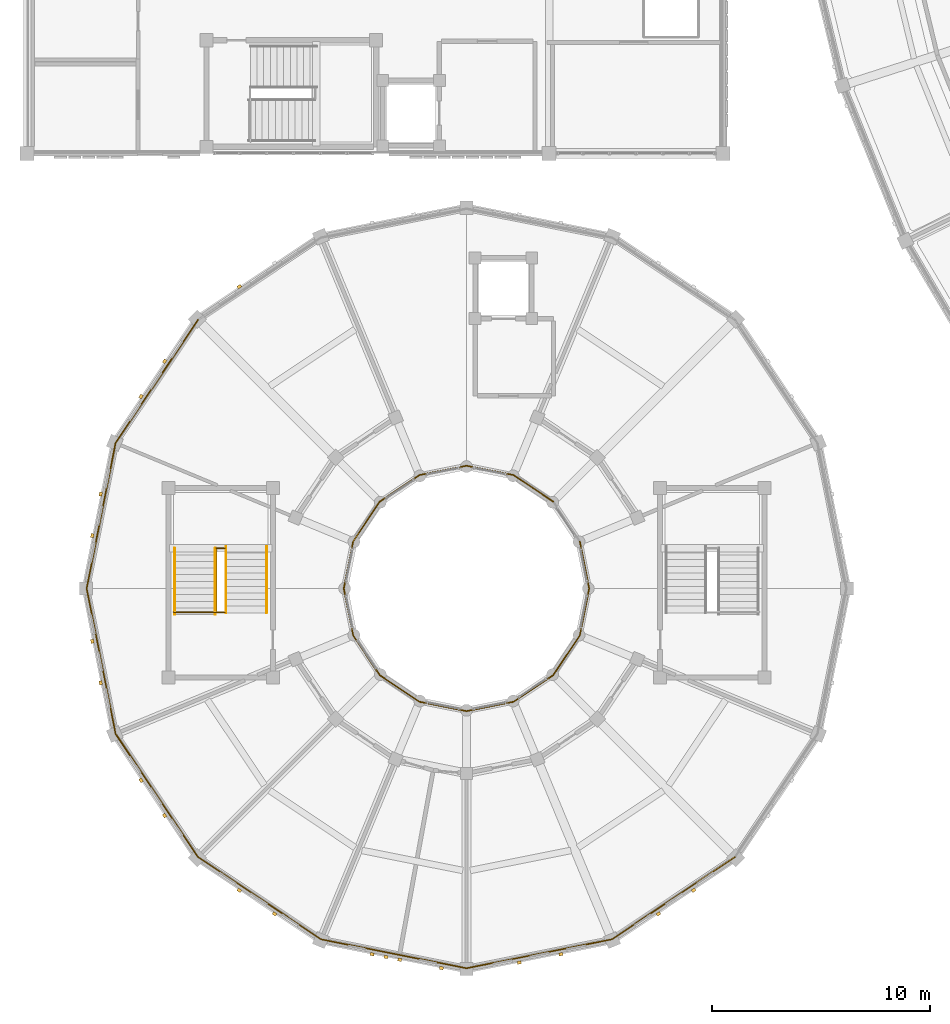
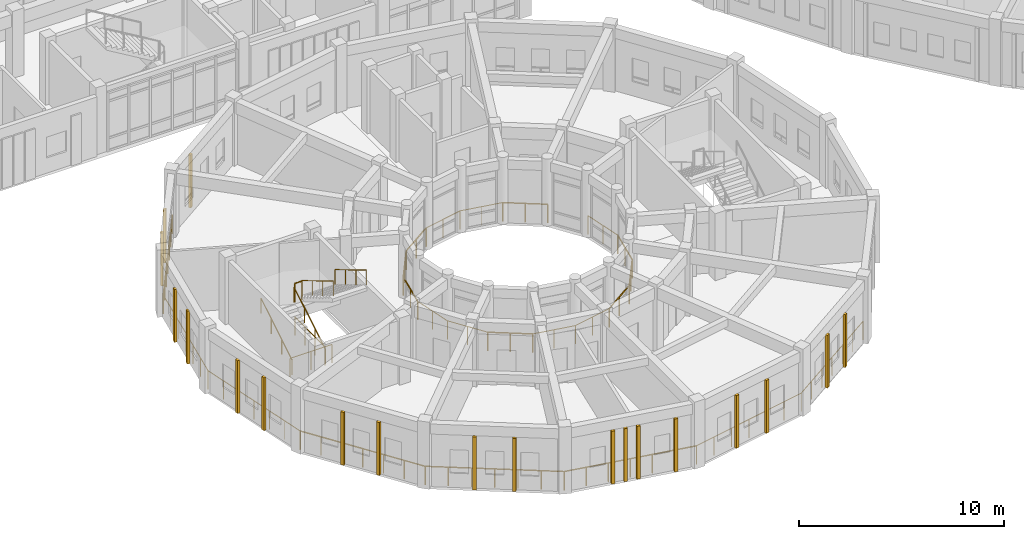
# One storey, part 95 of 112: 30 railings, 19 coverings.
"""IFC4 building model written with IfcOpenShell, lengths in metres."""

import ifcopenshell
import ifcopenshell.guid

model = None  # the IFC model being written
_history = None  # IfcOwnerHistory: only IFC2X3 demands one
_inside = {}  # id of a spatial element -> (the spatial element, [elements in it])
_under = {}  # id of a project, library or spatial element -> (it, [spatial elements below it])
_declared = {}  # id of a project -> (the project, [libraries it declares])
_typed = {}  # id of a type object -> (the type object, [elements of that type])
_made_of = {}  # id of a material, layer set ... -> (it, [elements and type objects made of it])


def new_model(schema):
    """Start an empty IFC model of exactly this schema.

    Asked for "IFC4X3", IfcOpenShell would pick the latest addendum, in which some entities
    have other attributes; the version numbers below select the first issue.
    IFC2X3 requires an IfcOwnerHistory on every rooted entity: one is made here for all.
    """
    global model, _history
    if schema == "IFC4X3":
        model = ifcopenshell.file(schema_version=(4, 3, 0, 0))
    else:
        model = ifcopenshell.file(schema=schema)
    _inside.clear()
    _under.clear()
    _declared.clear()
    _typed.clear()
    _made_of.clear()
    _history = None
    if model.schema == "IFC2X3":
        org = make("IfcOrganization", Name="unknown")
        user = make(
            "IfcPersonAndOrganization",
            ThePerson=make("IfcPerson", FamilyName="unknown"),
            TheOrganization=org,
        )
        app = make(
            "IfcApplication",
            ApplicationDeveloper=org,
            Version="unknown",
            ApplicationFullName="unknown",
            ApplicationIdentifier="unknown",
        )
        _history = make(
            "IfcOwnerHistory",
            OwningUser=user,
            OwningApplication=app,
            ChangeAction="ADDED",
            CreationDate=0,
        )
    return model


def make(cls, **values):
    """One entity of the class cls with the attributes given. An attribute that is None is left unset."""
    return model.create_entity(
        cls, **{name: value for name, value in values.items() if value is not None}
    )


def rooted(cls, **values):
    """An entity with a GlobalId (a new one), such as an element, a storey or a relation."""
    return make(cls, GlobalId=ifcopenshell.guid.new(), OwnerHistory=_history, **values)


def si_unit(unit_type, name, prefix=None):
    """IfcSIUnit, for example si_unit("LENGTHUNIT", "METRE", prefix="MILLI")."""
    return make("IfcSIUnit", UnitType=unit_type, Prefix=prefix, Name=name)


def assignment(units):
    """IfcUnitAssignment: the units of a project."""
    return None if units is None else make("IfcUnitAssignment", Units=units)


def point(xyz):
    """IfcCartesianPoint."""
    return None if xyz is None else make("IfcCartesianPoint", Coordinates=xyz)


def direction(xyz):
    """IfcDirection."""
    return None if xyz is None else make("IfcDirection", DirectionRatios=xyz)


def frame(location, z_axis=None, x_axis=None):
    """IfcAxis2Placement3D, a coordinate frame: its origin and axes. An axis left out is left unset."""
    return make(
        "IfcAxis2Placement3D",
        Location=point(location),
        Axis=direction(z_axis),
        RefDirection=direction(x_axis),
    )


def frame_2d(location, x_axis=None):
    """IfcAxis2Placement2D, a coordinate frame in the plane: its origin and x axis."""
    return make(
        "IfcAxis2Placement2D", Location=point(location), RefDirection=direction(x_axis)
    )


def origin():
    """The frame at (0, 0, 0) with its axes left unset."""
    return frame((0.0, 0.0, 0.0))


def origin_2d():
    """The frame at (0, 0) in the plane with its x axis left unset."""
    return frame_2d((0.0, 0.0))


def place(relative_to, where):
    """IfcLocalPlacement: puts the frame where relative to a parent placement (None: the world)."""
    return make(
        "IfcLocalPlacement", PlacementRelTo=relative_to, RelativePlacement=where
    )


def context(
    kind, dimensions, precision=None, world=None, true_north=None, identifier=None
):
    """IfcGeometricRepresentationContext, for example the 3D "Model" context."""
    return make(
        "IfcGeometricRepresentationContext",
        ContextIdentifier=identifier,
        ContextType=kind,
        CoordinateSpaceDimension=dimensions,
        Precision=precision,
        WorldCoordinateSystem=world,
        TrueNorth=true_north,
    )


def subcontext(parent, identifier, kind, view, scale=None):
    """IfcGeometricRepresentationSubContext, for example "Body" below "Model"."""
    return make(
        "IfcGeometricRepresentationSubContext",
        ContextIdentifier=identifier,
        ContextType=kind,
        ParentContext=parent,
        TargetScale=scale,
        TargetView=view,
    )


def project(units=None, contexts=None):
    """IfcProject with its units and contexts."""
    return rooted(
        "IfcProject",
        Name="project",
        RepresentationContexts=contexts,
        UnitsInContext=assignment(units),
    )


def spatial(cls, under=None, at=None, **own):
    """A site, building, storey or space (cls), placed at a placement, below another one or the project."""
    s = rooted(cls, ObjectPlacement=at, **own)
    if under is not None:
        _under.setdefault(under.id(), (under, []))[1].append(s)
    return s


def profile(cls, at=None, kind="AREA", **sizes):
    """A parametric profile (cls). Its sizes go by their IFC names, for example OverallWidth=200.0."""
    return make(cls, ProfileType=kind, Position=at, **sizes)


def rectangle(**sizes):
    """IfcRectangleProfileDef."""
    return profile("IfcRectangleProfileDef", **sizes)


def circle(**sizes):
    """IfcCircleProfileDef."""
    return profile("IfcCircleProfileDef", **sizes)


def extrude(swept, where, along, depth):
    """IfcExtrudedAreaSolid: the profile swept, set in the frame where, extruded along a direction by depth."""
    return make(
        "IfcExtrudedAreaSolid",
        SweptArea=swept,
        Position=where,
        ExtrudedDirection=direction(along),
        Depth=depth,
    )


def shape(context_of_items, identifier, shape_type, items):
    """IfcShapeRepresentation: the items that make up one representation, for example the "Body"."""
    return make(
        "IfcShapeRepresentation",
        ContextOfItems=context_of_items,
        RepresentationIdentifier=identifier,
        RepresentationType=shape_type,
        Items=items,
    )


def material(Name=None, Category=None):
    """IfcMaterial."""
    return make("IfcMaterial", Name=Name, Category=Category)


def layer(
    of_material, thickness, ventilated=None, Name=None, Category=None, Priority=None
):
    """IfcMaterialLayer: one layer of a wall or slab, of a material (None: an air gap)."""
    return make(
        "IfcMaterialLayer",
        Material=of_material,
        LayerThickness=thickness,
        IsVentilated=ventilated,
        Name=Name,
        Category=Category,
        Priority=Priority,
    )


def layer_set(layers, Name=None):
    """IfcMaterialLayerSet."""
    return make("IfcMaterialLayerSet", MaterialLayers=layers, LayerSetName=Name)


def made_of(thing, what):
    """Note that an element or type object is made of a material, layer set ...; save() writes the relation."""
    if what is not None:
        _made_of.setdefault(what.id(), (what, []))[1].append(thing)
    return thing


def type_object(cls, material=None, **own):
    """A type object (cls), such as IfcWallType, which elements share."""
    return made_of(rooted(cls, **own), material)


def element(
    cls,
    number,
    at=None,
    inside=None,
    cuts=None,
    type_object=None,
    material=None,
    context=None,
    identifier="Body",
    shape_type=None,
    held_by="IfcProductDefinitionShape",
    body=None,
    shapes=None,
    **own,
):
    """One element of the class cls, such as IfcWall. Its Tag is "e" and its number.

    at: its placement. inside: the storey or other place that contains it. cuts: it is an
    opening in that element (IfcRelVoidsElement). A single representation is given by context,
    identifier, shape_type and body (its items); several are given by shapes. held_by: the class
    of the entity that holds the representations. save() writes the other relations.
    """
    e = rooted(cls, Tag="e%d" % number, ObjectPlacement=at, **own)
    if body is not None:
        shapes = [shape(context, identifier, shape_type, body)]
    if shapes is not None:
        e.Representation = make(held_by, Representations=shapes)
    if inside is not None:
        _inside.setdefault(inside.id(), (inside, []))[1].append(e)
    if cuts is not None:
        rooted(
            "IfcRelVoidsElement", RelatingBuildingElement=cuts, RelatedOpeningElement=e
        )
    if type_object is not None:
        _typed.setdefault(type_object.id(), (type_object, []))[1].append(e)
    return made_of(e, material)


def aggregate(whole, parts):
    """IfcRelAggregates: a whole, such as a stair, and the parts it consists of."""
    return rooted("IfcRelAggregates", RelatingObject=whole, RelatedObjects=parts)


def save(model, path):
    """Write the relations noted so far, then the file.

    IfcRelAggregates (storeys below a building ...), IfcRelContainedInSpatialStructure (elements
    in a storey), IfcRelDefinesByType, IfcRelAssociatesMaterial and IfcRelDeclares: one each for
    every whole, place, type object, material and project.
    """
    for whole, parts in _under.values():
        aggregate(whole, parts)
    for where, things in _inside.values():
        rooted(
            "IfcRelContainedInSpatialStructure",
            RelatedElements=things,
            RelatingStructure=where,
        )
    for kind, things in _typed.values():
        rooted("IfcRelDefinesByType", RelatedObjects=things, RelatingType=kind)
    for what, things in _made_of.values():
        rooted("IfcRelAssociatesMaterial", RelatedObjects=things, RelatingMaterial=what)
    for by, libraries in _declared.values():
        rooted("IfcRelDeclares", RelatingContext=by, RelatedDefinitions=libraries)
    model.write(path)


model = new_model("IFC4")

# Units and contexts
model_context = context("Model", 3, precision=1e-05, world=origin(), true_north=direction((0.0, 1.0)))
body_context = subcontext(model_context, "Body", "Model", "MODEL_VIEW")
ifc_project = project(units=[si_unit("LENGTHUNIT", "METRE"), si_unit("AREAUNIT", "SQUARE_METRE"), si_unit("VOLUMEUNIT", "CUBIC_METRE"), si_unit("PLANEANGLEUNIT", "RADIAN"), si_unit("MASSUNIT", "GRAM", prefix="KILO")], contexts=[model_context])

# Site, building, storey
site_placement = place(None, origin())
site = spatial("IfcSite", under=ifc_project, at=site_placement, CompositionType="ELEMENT")
building_placement = place(site_placement, origin())
building = spatial("IfcBuilding", under=site, at=building_placement, Name="Celadon Cloister-Ring School", CompositionType="ELEMENT")
storey_placement = place(building_placement, frame((0.0, 0.0, 8.5)))
storey = spatial("IfcBuildingStorey", under=building, at=storey_placement, Name="L02", CompositionType="ELEMENT", Elevation=8.5)

# Coverings
ifc_material_1 = material(Name="Perforated terracotta clay brick masonry", Category="masonry")
ifc_layer = layer(ifc_material_1, 0.139892578125)
ifc_layer_set = layer_set([ifc_layer], Name="Perforated terracotta clay brick masonry")
covering_type = type_object("IfcCoveringType", Name="CV-SC1", PredefinedType="CLADDING", material=ifc_layer_set)
for number, where, z_axis, x_axis, name in (
    (1, (9.756103515625, 33.8759765625, 0.0), (0.0, 0.0, 1.0), (0.831401730389, 0.55567181205, 0.0), "Brick Screen Rib 0648"),
    (2, (5.239990234375, 28.822998046875, 0.0), (0.0, 0.0, 1.0), (0.55567181205, 0.831401730389, 0.0), "Brick Screen Rib 0650"),
    (3, (6.323974609375, 30.444091796875, 0.0), (0.0, 0.0, 1.0), (0.55567181205, 0.831401730389, 0.0), "Brick Screen Rib 0651"),
    (4, (3.001953125, 22.427001953125, 0.0), (0.0, 0.0, 1.0), (0.195141675546, 0.980775064153, 0.0), "Brick Screen Rib 0652"),
    (5, (3.383056640625, 24.339111328125, 0.0), (0.0, 0.0, 1.0), (0.195141675546, 0.980775064153, 0.0), "Brick Screen Rib 0653"),
    (6, (3.383056640625, 15.660888671875, 0.0), (0.0, 0.0, 1.0), (-0.195141675546, 0.980775064153, 0.0), "Brick Screen Rib 0654"),
    (7, (3.001953125, 17.572998046875, 0.0), (0.0, 0.0, 1.0), (-0.195141675546, 0.980775064153, 0.0), "Brick Screen Rib 0655"),
    (8, (6.323974609375, 9.555908203125, 0.0), (0.0, 0.0, 1.0), (-0.55567181205, 0.831401730389, 0.0), "Brick Screen Rib 0656"),
    (9, (5.239990234375, 11.177001953125, 0.0), (0.0, 0.0, 1.0), (-0.55567181205, 0.831401730389, 0.0), "Brick Screen Rib 0657"),
    (10, (11.376953125, 5.0400390625, 0.0), (0.0, 0.0, 1.0), (-0.831401730389, 0.55567181205, 0.0), "Brick Screen Rib 0658"),
    (11, (9.756103515625, 6.1240234375, 0.0), (0.0, 0.0, 1.0), (-0.831401730389, 0.55567181205, 0.0), "Brick Screen Rib 0659"),
    (12, (19.048095703125, 2.548095703125, 0.0), (0.0, 0.0, 1.0), (-0.980775064153, 0.195141675546, 0.0), "Brick Screen Rib 0660"),
    (13, (17.135986328125, 2.928955078125, 0.0), (0.0, 0.0, 1.0), (-0.980775064153, 0.195141675546, 0.0), "Brick Screen Rib 0661"),
    (14, (16.498046875, 3.055908203125, 0.0), (0.0, 0.0, 1.0), (-0.980775064153, 0.195141675546, 0.0), "Brick Screen Rib 0662"),
    (15, (15.861083984375, 3.18310546875, 0.0), (0.0, 0.0, 1.0), (-0.980775064153, 0.195141675546, 0.0), "Brick Screen Rib 0663"),
    (16, (24.5390625, 3.18310546875, 0.0), (0.0, 0.0, 1.0), (-0.980775064153, -0.195141675546, 0.0), "Brick Screen Rib 0664"),
    (17, (22.626953125, 2.802001953125, 0.0), (0.0, 0.0, 1.0), (-0.980775064153, -0.195141675546, 0.0), "Brick Screen Rib 0665"),
    (18, (30.64404296875, 6.1240234375, 0.0), (0.0, 0.0, 1.0), (-0.831401730389, -0.55567181205, 0.0), "Brick Screen Rib 0666"),
    (19, (29.02294921875, 5.0400390625, 0.0), (0.0, 0.0, 1.0), (-0.831401730389, -0.55567181205, 0.0), "Brick Screen Rib 0667"),
):
    element("IfcCovering", number, at=place(storey_placement, frame(where, z_axis=z_axis, x_axis=x_axis)), inside=storey, type_object=covering_type, Name=name, PredefinedType="CLADDING", context=body_context, shape_type="SweptSolid", body=[
        extrude(rectangle(XDim=0.179931640625, YDim=0.139892578125, at=origin_2d()), origin(), (0.0, 0.0, 1.0), 3.152099609375),
    ])

# Railings
ifc_material_2 = material(Name="Structural steel S355JR", Category="steel")
railing_type_1 = type_object("IfcRailingType", Name="RL-BL1", PredefinedType="BALUSTRADE", material=ifc_material_2)
railing_1_placement = place(storey_placement, frame((7.85400390625, 32.345947265625, 0.0)))
element("IfcRailing", 20, at=railing_1_placement, inside=storey, type_object=railing_type_1, Name="Terrace Balustrade 0351", PredefinedType="BALUSTRADE", context=body_context, shape_type="SweptSolid", body=[
    extrude(circle(Radius=0.02392578125, at=origin_2d()), frame((0.0, 0.0, 1.09619140625), z_axis=(-0.555601342036, -0.831448825081, 0.0), x_axis=(0.831448825081, -0.555601342036, 0.0)), (0.0, 0.0, 1.0), 6.812255859375),
    extrude(circle(Radius=0.02099609375, at=origin_2d()), origin(), (0.0, 0.0, 1.0), 1.072021484375),
    extrude(circle(Radius=0.02099609375, at=origin_2d()), frame((-0.630859375, -0.944091796875, 0.0)), (0.0, 0.0, 1.0), 1.072021484375),
    extrude(circle(Radius=0.02099609375, at=origin_2d()), frame((-1.26171875, -1.887939453125, 0.0)), (0.0, 0.0, 1.0), 1.072021484375),
    extrude(circle(Radius=0.02099609375, at=origin_2d()), frame((-1.892578125, -2.83203125, 0.0)), (0.0, 0.0, 1.0), 1.072021484375),
    extrude(circle(Radius=0.02099609375, at=origin_2d()), frame((-2.523193359375, -3.776123046875, 0.0)), (0.0, 0.0, 1.0), 1.072021484375),
    extrude(circle(Radius=0.02099609375, at=origin_2d()), frame((-3.154052734375, -4.719970703125, 0.0)), (0.0, 0.0, 1.0), 1.072021484375),
    extrude(circle(Radius=0.02099609375, at=origin_2d()), frame((-3.784912109375, -5.6640625, 0.0)), (0.0, 0.0, 1.0), 1.072021484375),
])
railing_2_placement = place(storey_placement, frame((4.069091796875, 26.681884765625, 0.0)))
element("IfcRailing", 21, at=railing_2_placement, inside=storey, type_object=railing_type_1, Name="Terrace Balustrade 0352", PredefinedType="BALUSTRADE", context=body_context, shape_type="SweptSolid", body=[
    extrude(circle(Radius=0.02392578125, at=origin_2d()), frame((0.0, 0.0, 1.09619140625), z_axis=(-0.19508919883, -0.980785503818, 0.0), x_axis=(0.980785503818, -0.19508919883, 0.0)), (0.0, 0.0, 1.0), 6.812744140625),
    extrude(circle(Radius=0.02099609375, at=origin_2d()), origin(), (0.0, 0.0, 1.0), 1.072021484375),
    extrude(circle(Radius=0.02099609375, at=origin_2d()), frame((-0.221435546875, -1.11376953125, 0.0)), (0.0, 0.0, 1.0), 1.072021484375),
    extrude(circle(Radius=0.02099609375, at=origin_2d()), frame((-0.443115234375, -2.227294921875, 0.0)), (0.0, 0.0, 1.0), 1.072021484375),
    extrude(circle(Radius=0.02099609375, at=origin_2d()), frame((-0.66455078125, -3.3408203125, 0.0)), (0.0, 0.0, 1.0), 1.072021484375),
    extrude(circle(Radius=0.02099609375, at=origin_2d()), frame((-0.885986328125, -4.45458984375, 0.0)), (0.0, 0.0, 1.0), 1.072021484375),
    extrude(circle(Radius=0.02099609375, at=origin_2d()), frame((-1.107666015625, -5.568359375, 0.0)), (0.0, 0.0, 1.0), 1.072021484375),
    extrude(circle(Radius=0.02099609375, at=origin_2d()), frame((-1.3291015625, -6.681884765625, 0.0)), (0.0, 0.0, 1.0), 1.072021484375),
])
railing_3_placement = place(storey_placement, frame((2.739990234375, 20.0, 0.0)))
element("IfcRailing", 22, at=railing_3_placement, inside=storey, type_object=railing_type_1, Name="Terrace Balustrade 0353", PredefinedType="BALUSTRADE", context=body_context, shape_type="SweptSolid", body=[
    extrude(circle(Radius=0.02392578125, at=origin_2d()), frame((0.0, 0.0, 1.09619140625), z_axis=(0.19508919883, -0.980785503818, 0.0), x_axis=(0.980785503818, 0.19508919883, 0.0)), (0.0, 0.0, 1.0), 6.812744140625),
    extrude(circle(Radius=0.02099609375, at=origin_2d()), origin(), (0.0, 0.0, 1.0), 1.072021484375),
    extrude(circle(Radius=0.02099609375, at=origin_2d()), frame((0.221435546875, -1.11376953125, 0.0)), (0.0, 0.0, 1.0), 1.072021484375),
    extrude(circle(Radius=0.02099609375, at=origin_2d()), frame((0.443115234375, -2.227294921875, 0.0)), (0.0, 0.0, 1.0), 1.072021484375),
    extrude(circle(Radius=0.02099609375, at=origin_2d()), frame((0.66455078125, -3.3408203125, 0.0)), (0.0, 0.0, 1.0), 1.072021484375),
    extrude(circle(Radius=0.02099609375, at=origin_2d()), frame((0.885986328125, -4.45458984375, 0.0)), (0.0, 0.0, 1.0), 1.072021484375),
    extrude(circle(Radius=0.02099609375, at=origin_2d()), frame((1.107666015625, -5.568359375, 0.0)), (0.0, 0.0, 1.0), 1.072021484375),
    extrude(circle(Radius=0.02099609375, at=origin_2d()), frame((1.3291015625, -6.681884765625, 0.0)), (0.0, 0.0, 1.0), 1.072021484375),
])
railing_4_placement = place(storey_placement, frame((4.069091796875, 13.318115234375, 0.0)))
element("IfcRailing", 23, at=railing_4_placement, inside=storey, type_object=railing_type_1, Name="Terrace Balustrade 0354", PredefinedType="BALUSTRADE", context=body_context, shape_type="SweptSolid", body=[
    extrude(circle(Radius=0.02392578125, at=origin_2d()), frame((0.0, 0.0, 1.09619140625), z_axis=(0.555601342036, -0.831448825081, 0.0), x_axis=(0.831448825081, 0.555601342036, 0.0)), (0.0, 0.0, 1.0), 6.812255859375),
    extrude(circle(Radius=0.02099609375, at=origin_2d()), origin(), (0.0, 0.0, 1.0), 1.072021484375),
    extrude(circle(Radius=0.02099609375, at=origin_2d()), frame((0.630859375, -0.944091796875, 0.0)), (0.0, 0.0, 1.0), 1.072021484375),
    extrude(circle(Radius=0.02099609375, at=origin_2d()), frame((1.26171875, -1.887939453125, 0.0)), (0.0, 0.0, 1.0), 1.072021484375),
    extrude(circle(Radius=0.02099609375, at=origin_2d()), frame((1.892578125, -2.83203125, 0.0)), (0.0, 0.0, 1.0), 1.072021484375),
    extrude(circle(Radius=0.02099609375, at=origin_2d()), frame((2.523193359375, -3.776123046875, 0.0)), (0.0, 0.0, 1.0), 1.072021484375),
    extrude(circle(Radius=0.02099609375, at=origin_2d()), frame((3.154052734375, -4.719970703125, 0.0)), (0.0, 0.0, 1.0), 1.072021484375),
    extrude(circle(Radius=0.02099609375, at=origin_2d()), frame((3.784912109375, -5.6640625, 0.0)), (0.0, 0.0, 1.0), 1.072021484375),
])
railing_5_placement = place(storey_placement, frame((7.85400390625, 7.654052734375, 0.0)))
element("IfcRailing", 24, at=railing_5_placement, inside=storey, type_object=railing_type_1, Name="Terrace Balustrade 0355", PredefinedType="BALUSTRADE", context=body_context, shape_type="SweptSolid", body=[
    extrude(circle(Radius=0.02392578125, at=origin_2d()), frame((0.0, 0.0, 1.09619140625), z_axis=(0.831432269387, -0.555626116577, 0.0), x_axis=(0.555626116577, 0.831432269387, 0.0)), (0.0, 0.0, 1.0), 6.8125),
    extrude(circle(Radius=0.02099609375, at=origin_2d()), origin(), (0.0, 0.0, 1.0), 1.072021484375),
    extrude(circle(Radius=0.02099609375, at=origin_2d()), frame((0.944091796875, -0.630859375, 0.0)), (0.0, 0.0, 1.0), 1.072021484375),
    extrude(circle(Radius=0.02099609375, at=origin_2d()), frame((1.887939453125, -1.26171875, 0.0)), (0.0, 0.0, 1.0), 1.072021484375),
    extrude(circle(Radius=0.02099609375, at=origin_2d()), frame((2.83203125, -1.892578125, 0.0)), (0.0, 0.0, 1.0), 1.072021484375),
    extrude(circle(Radius=0.02099609375, at=origin_2d()), frame((3.776123046875, -2.5234375, 0.0)), (0.0, 0.0, 1.0), 1.072021484375),
    extrude(circle(Radius=0.02099609375, at=origin_2d()), frame((4.719970703125, -3.154296875, 0.0)), (0.0, 0.0, 1.0), 1.072021484375),
    extrude(circle(Radius=0.02099609375, at=origin_2d()), frame((5.6640625, -3.78515625, 0.0)), (0.0, 0.0, 1.0), 1.072021484375),
])
railing_6_placement = place(storey_placement, frame((13.51806640625, 3.868896484375, 0.0)))
element("IfcRailing", 25, at=railing_6_placement, inside=storey, type_object=railing_type_1, Name="Terrace Balustrade 0356", PredefinedType="BALUSTRADE", context=body_context, shape_type="SweptSolid", body=[
    extrude(circle(Radius=0.02392578125, at=origin_2d()), frame((0.0, 0.0, 1.09619140625), z_axis=(0.980792360074, -0.19505472673, 0.0), x_axis=(0.19505472673, 0.980792360074, 0.0)), (0.0, 0.0, 1.0), 6.812744140625),
    extrude(circle(Radius=0.02099609375, at=origin_2d()), origin(), (0.0, 0.0, 1.0), 1.072021484375),
    extrude(circle(Radius=0.02099609375, at=origin_2d()), frame((1.11376953125, -0.221435546875, 0.0)), (0.0, 0.0, 1.0), 1.072021484375),
    extrude(circle(Radius=0.02099609375, at=origin_2d()), frame((2.227294921875, -0.44287109375, 0.0)), (0.0, 0.0, 1.0), 1.072021484375),
    extrude(circle(Radius=0.02099609375, at=origin_2d()), frame((3.3408203125, -0.66455078125, 0.0)), (0.0, 0.0, 1.0), 1.072021484375),
    extrude(circle(Radius=0.02099609375, at=origin_2d()), frame((4.45458984375, -0.885986328125, 0.0)), (0.0, 0.0, 1.0), 1.072021484375),
    extrude(circle(Radius=0.02099609375, at=origin_2d()), frame((5.568359375, -1.107421875, 0.0)), (0.0, 0.0, 1.0), 1.072021484375),
    extrude(circle(Radius=0.02099609375, at=origin_2d()), frame((6.681884765625, -1.328857421875, 0.0)), (0.0, 0.0, 1.0), 1.072021484375),
])
railing_7_placement = place(storey_placement, frame((20.199951171875, 2.5400390625, 0.0)))
element("IfcRailing", 26, at=railing_7_placement, inside=storey, type_object=railing_type_1, Name="Terrace Balustrade 0357", PredefinedType="BALUSTRADE", context=body_context, shape_type="SweptSolid", body=[
    extrude(circle(Radius=0.02392578125, at=origin_2d()), frame((0.0, 0.0, 1.09619140625), z_axis=(0.980793723427, 0.195047871268, 0.0), x_axis=(-0.195047871268, 0.980793723427, 0.0)), (0.0, 0.0, 1.0), 6.81298828125),
    extrude(circle(Radius=0.02099609375, at=origin_2d()), origin(), (0.0, 0.0, 1.0), 1.072021484375),
    extrude(circle(Radius=0.02099609375, at=origin_2d()), frame((1.11376953125, 0.221435546875, 0.0)), (0.0, 0.0, 1.0), 1.072021484375),
    extrude(circle(Radius=0.02099609375, at=origin_2d()), frame((2.227294921875, 0.44287109375, 0.0)), (0.0, 0.0, 1.0), 1.072021484375),
    extrude(circle(Radius=0.02099609375, at=origin_2d()), frame((3.341064453125, 0.66455078125, 0.0)), (0.0, 0.0, 1.0), 1.072021484375),
    extrude(circle(Radius=0.02099609375, at=origin_2d()), frame((4.454833984375, 0.885986328125, 0.0)), (0.0, 0.0, 1.0), 1.072021484375),
    extrude(circle(Radius=0.02099609375, at=origin_2d()), frame((5.568359375, 1.107421875, 0.0)), (0.0, 0.0, 1.0), 1.072021484375),
    extrude(circle(Radius=0.02099609375, at=origin_2d()), frame((6.68212890625, 1.328857421875, 0.0)), (0.0, 0.0, 1.0), 1.072021484375),
])
railing_8_placement = place(storey_placement, frame((26.882080078125, 3.868896484375, 0.0)))
element("IfcRailing", 27, at=railing_8_placement, inside=storey, type_object=railing_type_1, Name="Terrace Balustrade 0358", PredefinedType="BALUSTRADE", context=body_context, shape_type="SweptSolid", body=[
    extrude(circle(Radius=0.02392578125, at=origin_2d()), frame((0.0, 0.0, 1.09619140625), z_axis=(0.831421205096, 0.555642672693, 0.0), x_axis=(-0.555642672693, 0.831421205096, 0.0)), (0.0, 0.0, 1.0), 6.812255859375),
    extrude(circle(Radius=0.02099609375, at=origin_2d()), origin(), (0.0, 0.0, 1.0), 1.072021484375),
    extrude(circle(Radius=0.02099609375, at=origin_2d()), frame((0.94384765625, 0.630859375, 0.0)), (0.0, 0.0, 1.0), 1.072021484375),
    extrude(circle(Radius=0.02099609375, at=origin_2d()), frame((1.887939453125, 1.26171875, 0.0)), (0.0, 0.0, 1.0), 1.072021484375),
    extrude(circle(Radius=0.02099609375, at=origin_2d()), frame((2.83203125, 1.892578125, 0.0)), (0.0, 0.0, 1.0), 1.072021484375),
    extrude(circle(Radius=0.02099609375, at=origin_2d()), frame((3.77587890625, 2.5234375, 0.0)), (0.0, 0.0, 1.0), 1.072021484375),
    extrude(circle(Radius=0.02099609375, at=origin_2d()), frame((4.7197265625, 3.154296875, 0.0)), (0.0, 0.0, 1.0), 1.072021484375),
    extrude(circle(Radius=0.02099609375, at=origin_2d()), frame((5.663818359375, 3.78515625, 0.0)), (0.0, 0.0, 1.0), 1.072021484375),
])
railing_9_placement = place(storey_placement, frame((25.840087890625, 20.0, 0.0)))
element("IfcRailing", 28, at=railing_9_placement, inside=storey, type_object=railing_type_1, Name="Terrace Balustrade 0361", PredefinedType="BALUSTRADE", context=body_context, shape_type="SweptSolid", body=[
    extrude(circle(Radius=0.02392578125, at=origin_2d()), frame((0.0, 0.0, 1.09619140625), z_axis=(-0.19507042432, 0.980789238091, 0.0), x_axis=(-0.980789238091, -0.19507042432, 0.0)), (0.0, 0.0, 1.0), 2.2001953125),
    extrude(circle(Radius=0.02099609375, at=origin_2d()), origin(), (0.0, 0.0, 1.0), 1.072021484375),
    extrude(circle(Radius=0.02099609375, at=origin_2d()), frame((-0.214599609375, 1.0791015625, 0.0)), (0.0, 0.0, 1.0), 1.072021484375),
    extrude(circle(Radius=0.02099609375, at=origin_2d()), frame((-0.42919921875, 2.157958984375, 0.0)), (0.0, 0.0, 1.0), 1.072021484375),
])
railing_10_placement = place(storey_placement, frame((24.18798828125, 23.988037109375, 0.0)))
element("IfcRailing", 29, at=railing_10_placement, inside=storey, type_object=railing_type_1, Name="Terrace Balustrade 0363", PredefinedType="BALUSTRADE", context=body_context, shape_type="SweptSolid", body=[
    extrude(circle(Radius=0.02392578125, at=origin_2d()), frame((0.0, 0.0, 1.09619140625), z_axis=(-0.831452553193, 0.555595762933, 0.0), x_axis=(-0.555595762933, -0.831452553193, 0.0)), (0.0, 0.0, 1.0), 2.201171875),
    extrude(circle(Radius=0.02099609375, at=origin_2d()), origin(), (0.0, 0.0, 1.0), 1.072021484375),
    extrude(circle(Radius=0.02099609375, at=origin_2d()), frame((-0.9150390625, 0.611328125, 0.0)), (0.0, 0.0, 1.0), 1.072021484375),
    extrude(circle(Radius=0.02099609375, at=origin_2d()), frame((-1.830078125, 1.222900390625, 0.0)), (0.0, 0.0, 1.0), 1.072021484375),
])
railing_11_placement = place(storey_placement, frame((22.35791015625, 25.2109375, 0.0)))
element("IfcRailing", 30, at=railing_11_placement, inside=storey, type_object=railing_type_1, Name="Terrace Balustrade 0364", PredefinedType="BALUSTRADE", context=body_context, shape_type="SweptSolid", body=[
    extrude(circle(Radius=0.02392578125, at=origin_2d()), frame((0.0, 0.0, 1.09619140625), z_axis=(-0.980810462238, 0.194963681655, 0.0), x_axis=(-0.194963681655, -0.980810462238, 0.0)), (0.0, 0.0, 1.0), 2.2001953125),
    extrude(circle(Radius=0.02099609375, at=origin_2d()), origin(), (0.0, 0.0, 1.0), 1.072021484375),
    extrude(circle(Radius=0.02099609375, at=origin_2d()), frame((-1.0791015625, 0.21435546875, 0.0)), (0.0, 0.0, 1.0), 1.072021484375),
    extrude(circle(Radius=0.02099609375, at=origin_2d()), frame((-2.157958984375, 0.428955078125, 0.0)), (0.0, 0.0, 1.0), 1.072021484375),
])
railing_12_placement = place(storey_placement, frame((20.199951171875, 25.639892578125, 0.0)))
element("IfcRailing", 31, at=railing_12_placement, inside=storey, type_object=railing_type_1, Name="Terrace Balustrade 0365", PredefinedType="BALUSTRADE", context=body_context, shape_type="SweptSolid", body=[
    extrude(circle(Radius=0.02392578125, at=origin_2d()), frame((0.0, 0.0, 1.09619140625), z_axis=(-0.980810462238, -0.194963681655, 0.0), x_axis=(0.194963681655, -0.980810462238, 0.0)), (0.0, 0.0, 1.0), 2.2001953125),
    extrude(circle(Radius=0.02099609375, at=origin_2d()), origin(), (0.0, 0.0, 1.0), 1.072021484375),
    extrude(circle(Radius=0.02099609375, at=origin_2d()), frame((-1.0791015625, -0.21435546875, 0.0)), (0.0, 0.0, 1.0), 1.072021484375),
    extrude(circle(Radius=0.02099609375, at=origin_2d()), frame((-2.157958984375, -0.428955078125, 0.0)), (0.0, 0.0, 1.0), 1.072021484375),
])
railing_13_placement = place(storey_placement, frame((18.0419921875, 25.2109375, 0.0)))
element("IfcRailing", 32, at=railing_13_placement, inside=storey, type_object=railing_type_1, Name="Terrace Balustrade 0366", PredefinedType="BALUSTRADE", context=body_context, shape_type="SweptSolid", body=[
    extrude(circle(Radius=0.02392578125, at=origin_2d()), frame((0.0, 0.0, 1.09619140625), z_axis=(-0.831452553193, -0.555595762933, 0.0), x_axis=(0.555595762933, -0.831452553193, 0.0)), (0.0, 0.0, 1.0), 2.201171875),
    extrude(circle(Radius=0.02099609375, at=origin_2d()), origin(), (0.0, 0.0, 1.0), 1.072021484375),
    extrude(circle(Radius=0.02099609375, at=origin_2d()), frame((-0.9150390625, -0.611328125, 0.0)), (0.0, 0.0, 1.0), 1.072021484375),
    extrude(circle(Radius=0.02099609375, at=origin_2d()), frame((-1.830078125, -1.222900390625, 0.0)), (0.0, 0.0, 1.0), 1.072021484375),
])
railing_14_placement = place(storey_placement, frame((16.2119140625, 23.988037109375, 0.0)))
element("IfcRailing", 33, at=railing_14_placement, inside=storey, type_object=railing_type_1, Name="Terrace Balustrade 0367", PredefinedType="BALUSTRADE", context=body_context, shape_type="SweptSolid", body=[
    extrude(circle(Radius=0.02392578125, at=origin_2d()), frame((0.0, 0.0, 1.09619140625), z_axis=(-0.555595762933, -0.831452553193, 0.0), x_axis=(0.831452553193, -0.555595762933, 0.0)), (0.0, 0.0, 1.0), 2.201171875),
    extrude(circle(Radius=0.02099609375, at=origin_2d()), origin(), (0.0, 0.0, 1.0), 1.072021484375),
    extrude(circle(Radius=0.02099609375, at=origin_2d()), frame((-0.611328125, -0.9150390625, 0.0)), (0.0, 0.0, 1.0), 1.072021484375),
    extrude(circle(Radius=0.02099609375, at=origin_2d()), frame((-1.222900390625, -1.830078125, 0.0)), (0.0, 0.0, 1.0), 1.072021484375),
])
railing_15_placement = place(storey_placement, frame((14.989013671875, 22.157958984375, 0.0)))
element("IfcRailing", 34, at=railing_15_placement, inside=storey, type_object=railing_type_1, Name="Terrace Balustrade 0368", PredefinedType="BALUSTRADE", context=body_context, shape_type="SweptSolid", body=[
    extrude(circle(Radius=0.02392578125, at=origin_2d()), frame((0.0, 0.0, 1.09619140625), z_axis=(-0.194963681655, -0.980810462238, 0.0), x_axis=(0.980810462238, -0.194963681655, 0.0)), (0.0, 0.0, 1.0), 2.2001953125),
    extrude(circle(Radius=0.02099609375, at=origin_2d()), origin(), (0.0, 0.0, 1.0), 1.072021484375),
    extrude(circle(Radius=0.02099609375, at=origin_2d()), frame((-0.21435546875, -1.0791015625, 0.0)), (0.0, 0.0, 1.0), 1.072021484375),
    extrude(circle(Radius=0.02099609375, at=origin_2d()), frame((-0.428955078125, -2.157958984375, 0.0)), (0.0, 0.0, 1.0), 1.072021484375),
])
railing_16_placement = place(storey_placement, frame((14.56005859375, 20.0, 0.0)))
element("IfcRailing", 35, at=railing_16_placement, inside=storey, type_object=railing_type_1, Name="Terrace Balustrade 0369", PredefinedType="BALUSTRADE", context=body_context, shape_type="SweptSolid", body=[
    extrude(circle(Radius=0.02392578125, at=origin_2d()), frame((0.0, 0.0, 1.09619140625), z_axis=(0.194963681655, -0.980810462238, 0.0), x_axis=(0.980810462238, 0.194963681655, 0.0)), (0.0, 0.0, 1.0), 2.2001953125),
    extrude(circle(Radius=0.02099609375, at=origin_2d()), origin(), (0.0, 0.0, 1.0), 1.072021484375),
    extrude(circle(Radius=0.02099609375, at=origin_2d()), frame((0.21435546875, -1.0791015625, 0.0)), (0.0, 0.0, 1.0), 1.072021484375),
    extrude(circle(Radius=0.02099609375, at=origin_2d()), frame((0.428955078125, -2.157958984375, 0.0)), (0.0, 0.0, 1.0), 1.072021484375),
])
railing_17_placement = place(storey_placement, frame((14.989013671875, 17.842041015625, 0.0)))
element("IfcRailing", 36, at=railing_17_placement, inside=storey, type_object=railing_type_1, Name="Terrace Balustrade 0370", PredefinedType="BALUSTRADE", context=body_context, shape_type="SweptSolid", body=[
    extrude(circle(Radius=0.02392578125, at=origin_2d()), frame((0.0, 0.0, 1.09619140625), z_axis=(0.555595762933, -0.831452553193, 0.0), x_axis=(0.831452553193, 0.555595762933, 0.0)), (0.0, 0.0, 1.0), 2.201171875),
    extrude(circle(Radius=0.02099609375, at=origin_2d()), origin(), (0.0, 0.0, 1.0), 1.072021484375),
    extrude(circle(Radius=0.02099609375, at=origin_2d()), frame((0.611328125, -0.9150390625, 0.0)), (0.0, 0.0, 1.0), 1.072021484375),
    extrude(circle(Radius=0.02099609375, at=origin_2d()), frame((1.222900390625, -1.830078125, 0.0)), (0.0, 0.0, 1.0), 1.072021484375),
])
railing_18_placement = place(storey_placement, frame((16.2119140625, 16.011962890625, 0.0)))
element("IfcRailing", 37, at=railing_18_placement, inside=storey, type_object=railing_type_1, Name="Terrace Balustrade 0371", PredefinedType="BALUSTRADE", context=body_context, shape_type="SweptSolid", body=[
    extrude(circle(Radius=0.02392578125, at=origin_2d()), frame((0.0, 0.0, 1.09619140625), z_axis=(0.831452553193, -0.555595762933, 0.0), x_axis=(0.555595762933, 0.831452553193, 0.0)), (0.0, 0.0, 1.0), 2.201171875),
    extrude(circle(Radius=0.02099609375, at=origin_2d()), origin(), (0.0, 0.0, 1.0), 1.072021484375),
    extrude(circle(Radius=0.02099609375, at=origin_2d()), frame((0.9150390625, -0.611328125, 0.0)), (0.0, 0.0, 1.0), 1.072021484375),
    extrude(circle(Radius=0.02099609375, at=origin_2d()), frame((1.830078125, -1.222900390625, 0.0)), (0.0, 0.0, 1.0), 1.072021484375),
])
railing_19_placement = place(storey_placement, frame((18.0419921875, 14.7890625, 0.0)))
element("IfcRailing", 38, at=railing_19_placement, inside=storey, type_object=railing_type_1, Name="Terrace Balustrade 0372", PredefinedType="BALUSTRADE", context=body_context, shape_type="SweptSolid", body=[
    extrude(circle(Radius=0.02392578125, at=origin_2d()), frame((0.0, 0.0, 1.09619140625), z_axis=(0.980810462238, -0.194963681655, 0.0), x_axis=(0.194963681655, 0.980810462238, 0.0)), (0.0, 0.0, 1.0), 2.2001953125),
    extrude(circle(Radius=0.02099609375, at=origin_2d()), origin(), (0.0, 0.0, 1.0), 1.072021484375),
    extrude(circle(Radius=0.02099609375, at=origin_2d()), frame((1.0791015625, -0.21435546875, 0.0)), (0.0, 0.0, 1.0), 1.072021484375),
    extrude(circle(Radius=0.02099609375, at=origin_2d()), frame((2.157958984375, -0.428955078125, 0.0)), (0.0, 0.0, 1.0), 1.072021484375),
])
railing_20_placement = place(storey_placement, frame((20.199951171875, 14.360107421875, 0.0)))
element("IfcRailing", 39, at=railing_20_placement, inside=storey, type_object=railing_type_1, Name="Terrace Balustrade 0373", PredefinedType="BALUSTRADE", context=body_context, shape_type="SweptSolid", body=[
    extrude(circle(Radius=0.02392578125, at=origin_2d()), frame((0.0, 0.0, 1.09619140625), z_axis=(0.980810462238, 0.194963681655, 0.0), x_axis=(-0.194963681655, 0.980810462238, 0.0)), (0.0, 0.0, 1.0), 2.2001953125),
    extrude(circle(Radius=0.02099609375, at=origin_2d()), origin(), (0.0, 0.0, 1.0), 1.072021484375),
    extrude(circle(Radius=0.02099609375, at=origin_2d()), frame((1.0791015625, 0.21435546875, 0.0)), (0.0, 0.0, 1.0), 1.072021484375),
    extrude(circle(Radius=0.02099609375, at=origin_2d()), frame((2.157958984375, 0.428955078125, 0.0)), (0.0, 0.0, 1.0), 1.072021484375),
])
railing_21_placement = place(storey_placement, frame((22.35791015625, 14.7890625, 0.0)))
element("IfcRailing", 40, at=railing_21_placement, inside=storey, type_object=railing_type_1, Name="Terrace Balustrade 0374", PredefinedType="BALUSTRADE", context=body_context, shape_type="SweptSolid", body=[
    extrude(circle(Radius=0.02392578125, at=origin_2d()), frame((0.0, 0.0, 1.09619140625), z_axis=(0.831452553193, 0.555595762933, 0.0), x_axis=(-0.555595762933, 0.831452553193, 0.0)), (0.0, 0.0, 1.0), 2.201171875),
    extrude(circle(Radius=0.02099609375, at=origin_2d()), origin(), (0.0, 0.0, 1.0), 1.072021484375),
    extrude(circle(Radius=0.02099609375, at=origin_2d()), frame((0.9150390625, 0.611328125, 0.0)), (0.0, 0.0, 1.0), 1.072021484375),
    extrude(circle(Radius=0.02099609375, at=origin_2d()), frame((1.830078125, 1.222900390625, 0.0)), (0.0, 0.0, 1.0), 1.072021484375),
])
railing_22_placement = place(storey_placement, frame((24.18798828125, 16.011962890625, 0.0)))
element("IfcRailing", 41, at=railing_22_placement, inside=storey, type_object=railing_type_1, Name="Terrace Balustrade 0375", PredefinedType="BALUSTRADE", context=body_context, shape_type="SweptSolid", body=[
    extrude(circle(Radius=0.02392578125, at=origin_2d()), frame((0.0, 0.0, 1.09619140625), z_axis=(0.555595762933, 0.831452553193, 0.0), x_axis=(-0.831452553193, 0.555595762933, 0.0)), (0.0, 0.0, 1.0), 2.201171875),
    extrude(circle(Radius=0.02099609375, at=origin_2d()), origin(), (0.0, 0.0, 1.0), 1.072021484375),
    extrude(circle(Radius=0.02099609375, at=origin_2d()), frame((0.611328125, 0.9150390625, 0.0)), (0.0, 0.0, 1.0), 1.072021484375),
    extrude(circle(Radius=0.02099609375, at=origin_2d()), frame((1.222900390625, 1.830078125, 0.0)), (0.0, 0.0, 1.0), 1.072021484375),
])
railing_23_placement = place(storey_placement, frame((25.410888671875, 17.842041015625, 0.0)))
element("IfcRailing", 42, at=railing_23_placement, inside=storey, type_object=railing_type_1, Name="Terrace Balustrade 0376", PredefinedType="BALUSTRADE", context=body_context, shape_type="SweptSolid", body=[
    extrude(circle(Radius=0.02392578125, at=origin_2d()), frame((0.0, 0.0, 1.09619140625), z_axis=(0.19507042432, 0.980789238091, 0.0), x_axis=(-0.980789238091, 0.19507042432, 0.0)), (0.0, 0.0, 1.0), 2.2001953125),
    extrude(circle(Radius=0.02099609375, at=origin_2d()), origin(), (0.0, 0.0, 1.0), 1.072021484375),
    extrude(circle(Radius=0.02099609375, at=origin_2d()), frame((0.214599609375, 1.0791015625, 0.0)), (0.0, 0.0, 1.0), 1.072021484375),
    extrude(circle(Radius=0.02099609375, at=origin_2d()), frame((0.42919921875, 2.157958984375, 0.0)), (0.0, 0.0, 1.0), 1.072021484375),
])
ifc_material_3 = material(Name="Structural steel S355JR", Category="steel")
railing_type_2 = type_object("IfcRailingType", Name="RL-BL2", PredefinedType="BALUSTRADE", material=ifc_material_3)
railing_24_placement = place(storey_placement, frame((8.699951171875, 21.85009765625, 2.0)))
element("IfcRailing", 43, at=railing_24_placement, inside=storey, type_object=railing_type_2, Name="Interior Guard 0087", PredefinedType="BALUSTRADE", context=body_context, shape_type="SweptSolid", body=[
    extrude(circle(Radius=0.02392578125, at=origin_2d()), frame((0.0, 0.0, 1.09619140625), z_axis=(1.0, 0.0, 0.0), x_axis=(0.0, 1.0, 0.0)), (0.0, 0.0, 1.0), 0.400146484375),
    extrude(circle(Radius=0.02099609375, at=origin_2d()), origin(), (0.0, 0.0, 1.0), 1.072021484375),
    extrude(circle(Radius=0.02099609375, at=origin_2d()), frame((0.400146484375, 0.0, 0.0)), (0.0, 0.0, 1.0), 1.072021484375),
])
railing_25_placement = place(storey_placement, frame((6.739990234375, 18.9150390625, 0.0)))
element("IfcRailing", 44, at=railing_25_placement, inside=storey, type_object=railing_type_2, Name="Interior Guard 0088", PredefinedType="BALUSTRADE", context=body_context, shape_type="SweptSolid", body=[
    extrude(circle(Radius=0.02392578125, at=origin_2d()), frame((0.0, 0.0, 1.09619140625), z_axis=(1.0, 0.0, 0.0), x_axis=(0.0, 1.0, 0.0)), (0.0, 0.0, 1.0), 2.360107421875),
    extrude(circle(Radius=0.02099609375, at=origin_2d()), origin(), (0.0, 0.0, 1.0), 1.072021484375),
    extrude(circle(Radius=0.02099609375, at=origin_2d()), frame((1.18017578125, 0.0, 0.0)), (0.0, 0.0, 1.0), 1.072021484375),
    extrude(circle(Radius=0.02099609375, at=origin_2d()), frame((2.360107421875, 0.0, 0.0)), (0.0, 0.0, 1.0), 1.072021484375),
])
railing_26_placement = place(storey_placement, frame((8.699951171875, 18.9150390625, 0.0)))
element("IfcRailing", 45, at=railing_26_placement, inside=storey, type_object=railing_type_2, Name="Interior Guard 0089", PredefinedType="BALUSTRADE", context=body_context, shape_type="SweptSolid", body=[
    extrude(circle(Radius=0.02392578125, at=origin_2d()), frame((0.0, 0.0, 1.09619140625), z_axis=(0.0, 1.0, 0.0), x_axis=(-1.0, 0.0, 0.0)), (0.0, 0.0, 1.0), 2.93505859375),
    extrude(circle(Radius=0.02099609375, at=origin_2d()), origin(), (0.0, 0.0, 1.0), 1.072021484375),
    extrude(circle(Radius=0.02099609375, at=origin_2d()), frame((0.0, 0.978271484375, 0.0)), (0.0, 0.0, 1.0), 1.072021484375),
    extrude(circle(Radius=0.02099609375, at=origin_2d()), frame((0.0, 1.956787109375, 0.0)), (0.0, 0.0, 1.0), 1.072021484375),
    extrude(circle(Radius=0.02099609375, at=origin_2d()), frame((0.0, 2.93505859375, 0.0)), (0.0, 0.0, 1.0), 1.072021484375),
])
ifc_material_4 = material(Name="Structural steel S355JR", Category="steel")
railing_type_3 = type_object("IfcRailingType", Name="RL-HR1", PredefinedType="HANDRAIL", material=ifc_material_4)
for number, where, name in (
    (46, (8.655029296875, 18.800048828125, 0.181884765625), "Stair Handrail 0083"),
    (47, (6.784912109375, 18.800048828125, 0.181884765625), "Stair Handrail 0084"),
):
    element("IfcRailing", number, at=place(storey_placement, frame(where)), inside=storey, type_object=railing_type_3, Name=name, PredefinedType="HANDRAIL", context=body_context, shape_type="SweptSolid", body=[
        extrude(circle(Radius=0.02099609375, at=origin_2d()), frame((0.0, 0.0, 0.87890625), z_axis=(0.0, 0.858969654429, 0.51202649616), x_axis=(-1.0, 0.0, 0.0)), (0.0, 0.0, 1.0), 3.55078125),
        extrude(circle(Radius=0.01806640625, at=origin_2d()), origin(), (0.0, 0.0, 1.0), 0.85791015625),
        extrude(circle(Radius=0.01806640625, at=origin_2d()), frame((0.0, 1.0166015625, 0.60595703125)), (0.0, 0.0, 1.0), 0.85791015625),
        extrude(circle(Radius=0.01806640625, at=origin_2d()), frame((0.0, 2.033447265625, 1.212158203125)), (0.0, 0.0, 1.0), 0.85791015625),
        extrude(circle(Radius=0.01806640625, at=origin_2d()), frame((0.0, 3.050048828125, 1.818115234375)), (0.0, 0.0, 1.0), 0.85791015625),
    ])
for number, where, name in (
    (48, (9.14501953125, 21.929931640625, 2.181884765625), "Stair Handrail 0085"),
    (49, (11.014892578125, 21.929931640625, 2.181884765625), "Stair Handrail 0086"),
):
    element("IfcRailing", number, at=place(storey_placement, frame(where)), inside=storey, type_object=railing_type_3, Name=name, PredefinedType="HANDRAIL", context=body_context, shape_type="SweptSolid", body=[
        extrude(circle(Radius=0.02099609375, at=origin_2d()), frame((0.0, 0.0, 0.87890625), z_axis=(0.0, -0.858969654429, 0.51202649616), x_axis=(1.0, 0.0, 0.0)), (0.0, 0.0, 1.0), 3.55078125),
        extrude(circle(Radius=0.01806640625, at=origin_2d()), origin(), (0.0, 0.0, 1.0), 0.85791015625),
        extrude(circle(Radius=0.01806640625, at=origin_2d()), frame((0.0, -1.0166015625, 0.60595703125)), (0.0, 0.0, 1.0), 0.85791015625),
        extrude(circle(Radius=0.01806640625, at=origin_2d()), frame((0.0, -2.033447265625, 1.212158203125)), (0.0, 0.0, 1.0), 0.85791015625),
        extrude(circle(Radius=0.01806640625, at=origin_2d()), frame((0.0, -3.050048828125, 1.818115234375)), (0.0, 0.0, 1.0), 0.85791015625),
    ])

save(model, "model.ifc")
